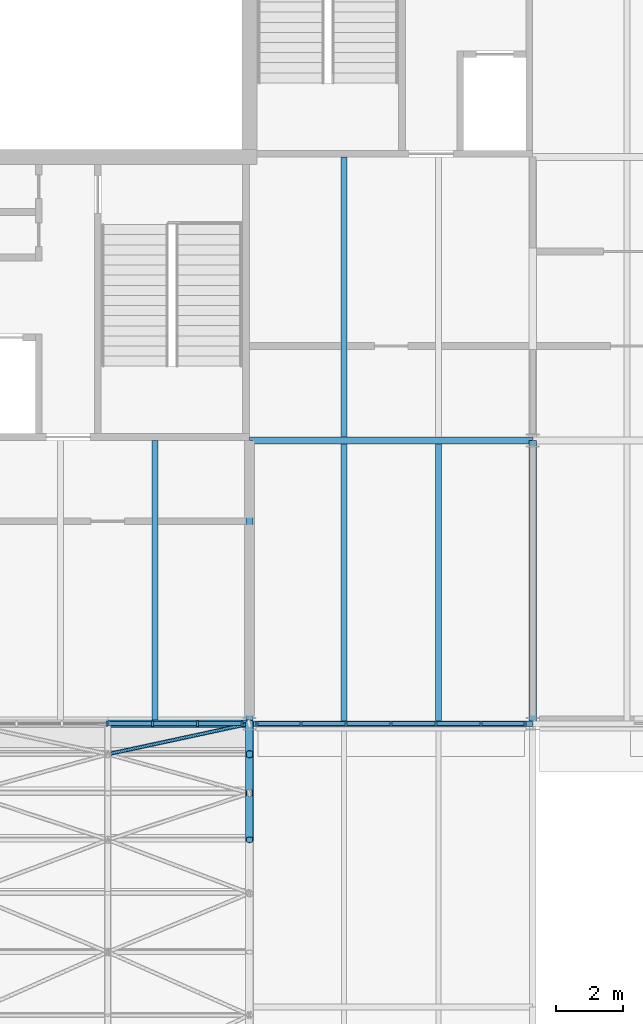
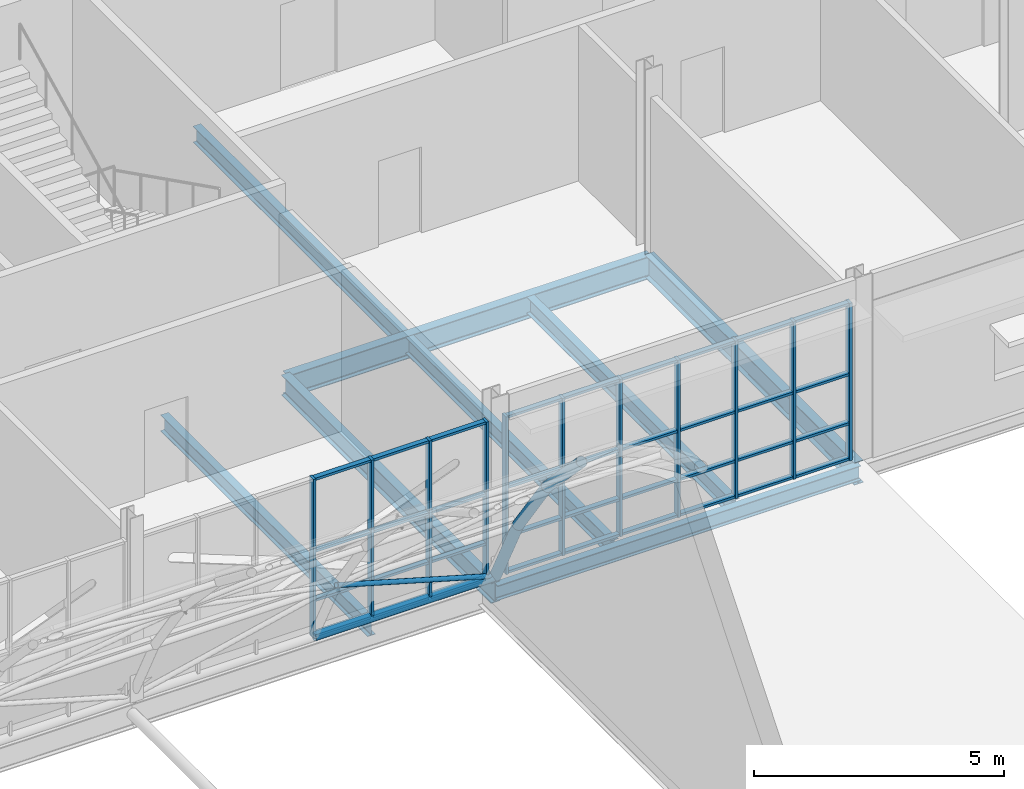
# One storey, part 58 of 121: 52 members, 8 beams, 2 elements without a shape of their own.
"""IFC4 building model written with IfcOpenShell, lengths in metres."""

from ifc_helpers import new_model, si_unit, direction, frame, origin, origin_2d, place, context, subcontext, project, spatial, rectangle, hollow_circle, i_section, extrude, material, layer, layer_set, material_profile, profile_set, type_object, element, aggregate, save


model = new_model("IFC4")

# Units and contexts
model_context = context("Model", 3, precision=1e-05, world=origin(), true_north=direction((0.0, 1.0)))
body_context = subcontext(model_context, "Body", "Model", "MODEL_VIEW")
ifc_project = project(units=[si_unit("LENGTHUNIT", "METRE"), si_unit("AREAUNIT", "SQUARE_METRE"), si_unit("VOLUMEUNIT", "CUBIC_METRE"), si_unit("PLANEANGLEUNIT", "RADIAN"), si_unit("MASSUNIT", "GRAM", prefix="KILO")], contexts=[model_context])

# Site, building, storey
site_placement = place(None, origin())
site = spatial("IfcSite", under=ifc_project, at=site_placement, CompositionType="ELEMENT")
building_placement = place(site_placement, origin())
building = spatial("IfcBuilding", under=site, at=building_placement, Name="Ardhachandra Cancer Care Centre", CompositionType="ELEMENT")
storey_placement = place(building_placement, frame((0.0, 0.0, 9.0)))
storey = spatial("IfcBuildingStorey", under=building, at=storey_placement, Name="L02", CompositionType="ELEMENT", Elevation=9.0)

# Beams
ifc_material_1 = material(Name="Steel E350 (IS 2062)", Category="steel")
ifc_material_profile_1 = material_profile(ifc_material_1, i_section(OverallWidth=0.172119140625, OverallDepth=0.364013671875, WebThickness=0.00927734375, FlangeThickness=0.0146484375, FilletRadius=0.01806640625, at=origin_2d()), Name="NPB 350x170x66.04")
ifc_profile_set_1 = profile_set([ifc_material_profile_1], Name="Steel E350 (IS 2062)")
beam_type_1 = type_object("IfcBeamType", Name="Beam NPB 350x170x66.04", PredefinedType="BEAM", material=ifc_profile_set_1)
beam_1_placement = place(storey_placement, frame((111.60009765625, 79.800048828125, -0.382080078125), z_axis=(1.0, 0.0, 0.0), x_axis=(0.0, 1.0, 0.0)))
element("IfcBeam", 1, at=beam_1_placement, inside=storey, type_object=beam_type_1, Name="Edge girder J13-J14", PredefinedType="BEAM", context=body_context, shape_type="SweptSolid", body=[
    extrude(i_section(OverallWidth=0.172119140625, OverallDepth=0.364013671875, WebThickness=0.00927734375, FlangeThickness=0.0146484375, FilletRadius=0.01806640625, at=origin_2d()), origin(), (0.0, 0.0, 1.0), 8.39990234375),
])
ifc_material_2 = material(Name="Steel E350 (IS 2062)", Category="steel")
ifc_material_profile_2 = material_profile(ifc_material_2, i_section(OverallWidth=0.179931640625, OverallDepth=0.39990234375, WebThickness=0.008544921875, FlangeThickness=0.013427734375, FilletRadius=0.02099609375, at=origin_2d()), Name="NPB 400x180x66.30")
ifc_profile_set_2 = profile_set([ifc_material_profile_2], Name="Steel E350 (IS 2062)")
beam_type_2 = type_object("IfcBeamType", Name="Beam NPB 400x180x66.30", PredefinedType="BEAM", material=ifc_profile_set_2)
beam_2_placement = place(storey_placement, frame((108.800048828125, 79.912109375, -0.35009765625), z_axis=(0.0, 1.0, 0.0), x_axis=(-1.0, 0.0, 0.0)))
element("IfcBeam", 2, at=beam_2_placement, inside=storey, type_object=beam_type_2, Name="Secondary J12-K12@5600", PredefinedType="BEAM", context=body_context, shape_type="SweptSolid", body=[
    extrude(i_section(OverallWidth=0.179931640625, OverallDepth=0.39990234375, WebThickness=0.008544921875, FlangeThickness=0.013427734375, FilletRadius=0.02099609375, at=origin_2d()), origin(), (0.0, 0.0, 1.0), 8.287841796875),
])
beam_3_placement = place(storey_placement, frame((114.39990234375, 79.885986328125, -0.35009765625), z_axis=(0.0, 1.0, 0.0), x_axis=(-1.0, 0.0, 0.0)))
element("IfcBeam", 3, at=beam_3_placement, inside=storey, type_object=beam_type_2, Name="Secondary J13-K13@2800", PredefinedType="BEAM", context=body_context, shape_type="SweptSolid", body=[
    extrude(i_section(OverallWidth=0.179931640625, OverallDepth=0.39990234375, WebThickness=0.008544921875, FlangeThickness=0.013427734375, FilletRadius=0.02099609375, at=origin_2d()), origin(), (0.0, 0.0, 1.0), 8.208984375),
])
beam_4_placement = place(storey_placement, frame((114.39990234375, 88.304931640625, -0.35009765625), z_axis=(0.0, 1.0, 0.0), x_axis=(-1.0, 0.0, 0.0)))
element("IfcBeam", 4, at=beam_4_placement, inside=storey, type_object=beam_type_2, Name="Secondary K13-L13@2800", PredefinedType="BEAM", context=body_context, shape_type="SweptSolid", body=[
    extrude(i_section(OverallWidth=0.179931640625, OverallDepth=0.39990234375, WebThickness=0.008544921875, FlangeThickness=0.013427734375, FilletRadius=0.02099609375, at=origin_2d()), origin(), (0.0, 0.0, 1.0), 8.295166015625),
])
beam_5_placement = place(storey_placement, frame((117.199951171875, 79.885986328125, -0.35009765625), z_axis=(0.0, 1.0, 0.0), x_axis=(-1.0, 0.0, 0.0)))
element("IfcBeam", 5, at=beam_5_placement, inside=storey, type_object=beam_type_2, Name="Secondary J13-K13@5600", PredefinedType="BEAM", context=body_context, shape_type="SweptSolid", body=[
    extrude(i_section(OverallWidth=0.179931640625, OverallDepth=0.39990234375, WebThickness=0.008544921875, FlangeThickness=0.013427734375, FilletRadius=0.02099609375, at=origin_2d()), origin(), (0.0, 0.0, 1.0), 8.208984375),
])
ifc_material_3 = material(Name="Steel E350 (IS 2062)", Category="steel")
ifc_material_profile_3 = material_profile(ifc_material_3, i_section(OverallWidth=0.199951171875, OverallDepth=0.5, WebThickness=0.01025390625, FlangeThickness=0.01611328125, FilletRadius=0.02099609375, at=origin_2d()), Name="NPB 500x200x90.68")
ifc_profile_set_3 = profile_set([ifc_material_profile_3], Name="Steel E350 (IS 2062)")
beam_type_3 = type_object("IfcBeamType", Name="Beam NPB 500x200x90.68", PredefinedType="BEAM", material=ifc_profile_set_3)
beam_6_placement = place(storey_placement, frame((111.60009765625, 79.800048828125, -0.39990234375), z_axis=(0.0, 1.0, 0.0), x_axis=(-1.0, 0.0, 0.0)))
element("IfcBeam", 6, at=beam_6_placement, inside=storey, type_object=beam_type_3, Name="Edge girder J13-K13", PredefinedType="BEAM", context=body_context, shape_type="SweptSolid", body=[
    extrude(i_section(OverallWidth=0.199951171875, OverallDepth=0.5, WebThickness=0.01025390625, FlangeThickness=0.01611328125, FilletRadius=0.02099609375, at=origin_2d()), origin(), (0.0, 0.0, 1.0), 8.39990234375),
])
ifc_material_4 = material(Name="Steel E350 (IS 2062)", Category="steel")
ifc_material_profile_4 = material_profile(ifc_material_4, i_section(OverallWidth=0.2099609375, OverallDepth=0.550048828125, WebThickness=0.010986328125, FlangeThickness=0.01708984375, FilletRadius=0.02392578125, at=origin_2d()), Name="NPB 550x210x105.52")
ifc_profile_set_4 = profile_set([ifc_material_profile_4], Name="Steel E350 (IS 2062)")
beam_type_4 = type_object("IfcBeamType", Name="Beam NPB 550x210x105.52", PredefinedType="BEAM", material=ifc_profile_set_4)
for number, where, z_axis, x_axis, name in (
    (7, (111.60009765625, 88.199951171875, -0.425048828125), (1.0, 0.0, 0.0), (0.0, 1.0, 0.0), "Girder K13-K14"),
    (8, (120.0, 79.800048828125, -0.425048828125), (0.0, 1.0, 0.0), (-1.0, 0.0, 0.0), "Girder J14-K14"),
):
    element("IfcBeam", number, at=place(storey_placement, frame(where, z_axis=z_axis, x_axis=x_axis)), inside=storey, type_object=beam_type_4, Name=name, PredefinedType="BEAM", context=body_context, shape_type="SweptSolid", body=[
        extrude(i_section(OverallWidth=0.2099609375, OverallDepth=0.550048828125, WebThickness=0.010986328125, FlangeThickness=0.01708984375, FilletRadius=0.02392578125, at=origin_2d()), origin(), (0.0, 0.0, 1.0), 8.39990234375),
    ])

# Curtain wall, members
ifc_material_5 = material(Name="Aluminium extrusion", Category="aluminium")
ifc_layer = layer(ifc_material_5, 0.14990234375)
ifc_layer_set = layer_set([ifc_layer], Name="Aluminium extrusion")
curtain_wall_type = type_object("IfcCurtainWallType", Name="Curtain wall run", PredefinedType="NOTDEFINED", material=ifc_layer_set)
curtain_wall_1_placement = place(storey_placement, origin())
curtain_wall_1 = element("IfcCurtainWall", 9, at=curtain_wall_1_placement, inside=storey, type_object=curtain_wall_type, Name="Curtain wall L02 s/0103200_0079800", PredefinedType="NOTDEFINED")
ifc_material_6 = material(Name="Aluminium extrusion", Category="aluminium")
ifc_material_profile_5 = material_profile(ifc_material_6, rectangle(XDim=0.159912109375, YDim=0.06005859375, at=origin_2d()), Name="Curtain wall mullion 60 x 160")
ifc_profile_set_5 = profile_set([ifc_material_profile_5], Name="Aluminium extrusion")
member_type_1 = type_object("IfcMemberType", Name="Curtain wall mullion 60 x 160", PredefinedType="MULLION", material=ifc_profile_set_5)
member_1_placement = place(storey_placement, frame((107.376220703125, 79.800048828125, 0.0), z_axis=(0.0, 0.0, 1.0), x_axis=(0.0, 1.0, 0.0)))
member_1 = element("IfcMember", 10, at=member_1_placement, type_object=member_type_1, Name="CW mullion 4", PredefinedType="MULLION", context=body_context, shape_type="SweptSolid", body=[
    extrude(rectangle(XDim=0.159912109375, YDim=0.06005859375, at=origin_2d()), origin(), (0.0, 0.0, 1.0), 3.885986328125),
])
member_2_placement = place(storey_placement, frame((108.71826171875, 79.800048828125, 0.0), z_axis=(0.0, 0.0, 1.0), x_axis=(0.0, 1.0, 0.0)))
member_2 = element("IfcMember", 11, at=member_2_placement, type_object=member_type_1, Name="CW mullion 5", PredefinedType="MULLION", context=body_context, shape_type="SweptSolid", body=[
    extrude(rectangle(XDim=0.159912109375, YDim=0.06005859375, at=origin_2d()), origin(), (0.0, 0.0, 1.0), 3.885986328125),
])
member_3_placement = place(storey_placement, frame((110.060302734375, 79.800048828125, 0.0), z_axis=(0.0, 0.0, 1.0), x_axis=(0.0, 1.0, 0.0)))
member_3 = element("IfcMember", 12, at=member_3_placement, type_object=member_type_1, Name="CW mullion 6", PredefinedType="MULLION", context=body_context, shape_type="SweptSolid", body=[
    extrude(rectangle(XDim=0.159912109375, YDim=0.06005859375, at=origin_2d()), origin(), (0.0, 0.0, 1.0), 3.885986328125),
])
member_4_placement = place(storey_placement, frame((111.37255859375, 79.800048828125, 0.0), z_axis=(0.0, 0.0, 1.0), x_axis=(0.0, 1.0, 0.0)))
member_4 = element("IfcMember", 13, at=member_4_placement, type_object=member_type_1, Name="CW mullion 7", PredefinedType="MULLION", context=body_context, shape_type="SweptSolid", body=[
    extrude(rectangle(XDim=0.159912109375, YDim=0.06005859375, at=origin_2d()), origin(), (0.0, 0.0, 1.0), 3.885986328125),
])

curtain_wall_2_placement = place(storey_placement, origin())
curtain_wall_2 = element("IfcCurtainWall", 14, at=curtain_wall_2_placement, inside=storey, type_object=curtain_wall_type, Name="Curtain wall L02 s/0111600_0079800", PredefinedType="NOTDEFINED")
member_5_placement = place(storey_placement, frame((111.827392578125, 79.800048828125, 0.0), z_axis=(0.0, 0.0, 1.0), x_axis=(0.0, 1.0, 0.0)))
member_5 = element("IfcMember", 15, at=member_5_placement, type_object=member_type_1, Name="CW mullion 1", PredefinedType="MULLION", context=body_context, shape_type="SweptSolid", body=[
    extrude(rectangle(XDim=0.159912109375, YDim=0.06005859375, at=origin_2d()), origin(), (0.0, 0.0, 1.0), 3.85009765625),
])
member_6_placement = place(storey_placement, frame((113.131591796875, 79.800048828125, 0.0), z_axis=(0.0, 0.0, 1.0), x_axis=(0.0, 1.0, 0.0)))
member_6 = element("IfcMember", 16, at=member_6_placement, type_object=member_type_1, Name="CW mullion 2", PredefinedType="MULLION", context=body_context, shape_type="SweptSolid", body=[
    extrude(rectangle(XDim=0.159912109375, YDim=0.06005859375, at=origin_2d()), origin(), (0.0, 0.0, 1.0), 3.85009765625),
])
member_7_placement = place(storey_placement, frame((114.4658203125, 79.800048828125, 0.0), z_axis=(0.0, 0.0, 1.0), x_axis=(0.0, 1.0, 0.0)))
member_7 = element("IfcMember", 17, at=member_7_placement, type_object=member_type_1, Name="CW mullion 3", PredefinedType="MULLION", context=body_context, shape_type="SweptSolid", body=[
    extrude(rectangle(XDim=0.159912109375, YDim=0.06005859375, at=origin_2d()), origin(), (0.0, 0.0, 1.0), 3.85009765625),
])
member_8_placement = place(storey_placement, frame((115.800048828125, 79.800048828125, 0.0), z_axis=(0.0, 0.0, 1.0), x_axis=(0.0, 1.0, 0.0)))
member_8 = element("IfcMember", 18, at=member_8_placement, type_object=member_type_1, Name="CW mullion 4", PredefinedType="MULLION", context=body_context, shape_type="SweptSolid", body=[
    extrude(rectangle(XDim=0.159912109375, YDim=0.06005859375, at=origin_2d()), origin(), (0.0, 0.0, 1.0), 3.85009765625),
])
member_9_placement = place(storey_placement, frame((117.13427734375, 79.800048828125, 0.0), z_axis=(0.0, 0.0, 1.0), x_axis=(0.0, 1.0, 0.0)))
member_9 = element("IfcMember", 19, at=member_9_placement, type_object=member_type_1, Name="CW mullion 5", PredefinedType="MULLION", context=body_context, shape_type="SweptSolid", body=[
    extrude(rectangle(XDim=0.159912109375, YDim=0.06005859375, at=origin_2d()), origin(), (0.0, 0.0, 1.0), 3.85009765625),
])
member_10_placement = place(storey_placement, frame((118.46826171875, 79.800048828125, 0.0), z_axis=(0.0, 0.0, 1.0), x_axis=(0.0, 1.0, 0.0)))
member_10 = element("IfcMember", 20, at=member_10_placement, type_object=member_type_1, Name="CW mullion 6", PredefinedType="MULLION", context=body_context, shape_type="SweptSolid", body=[
    extrude(rectangle(XDim=0.159912109375, YDim=0.06005859375, at=origin_2d()), origin(), (0.0, 0.0, 1.0), 3.85009765625),
])
member_11_placement = place(storey_placement, frame((119.7724609375, 79.800048828125, 0.0), z_axis=(0.0, 0.0, 1.0), x_axis=(0.0, 1.0, 0.0)))
member_11 = element("IfcMember", 21, at=member_11_placement, type_object=member_type_1, Name="CW mullion 7", PredefinedType="MULLION", context=body_context, shape_type="SweptSolid", body=[
    extrude(rectangle(XDim=0.159912109375, YDim=0.06005859375, at=origin_2d()), origin(), (0.0, 0.0, 1.0), 3.85009765625),
])

# Member
ifc_material_7 = material(Name="Aluminium extrusion", Category="aluminium")
ifc_material_profile_6 = material_profile(ifc_material_7, rectangle(XDim=0.1201171875, YDim=0.06005859375, at=origin_2d()), Name="Curtain wall transom 60 x 120")
ifc_profile_set_6 = profile_set([ifc_material_profile_6], Name="Aluminium extrusion")
member_type_2 = type_object("IfcMemberType", Name="Curtain wall transom 60 x 120", PredefinedType="USERDEFINED", material=ifc_profile_set_6)
member_12_placement = place(storey_placement, frame((107.40625, 79.800048828125, 0.030029296875), z_axis=(1.0, 0.0, 0.0), x_axis=(0.0, 1.0, 0.0)))
member_12 = element("IfcMember", 22, at=member_12_placement, type_object=member_type_2, Name="CW transom 4.1", ObjectType="TRANSOM", PredefinedType="USERDEFINED", context=body_context, shape_type="SweptSolid", body=[
    extrude(rectangle(XDim=0.1201171875, YDim=0.06005859375, at=origin_2d()), origin(), (0.0, 0.0, 1.0), 1.281982421875),
])

member_13_placement = place(storey_placement, frame((107.40625, 79.800048828125, 0.89990234375), z_axis=(1.0, 0.0, 0.0), x_axis=(0.0, 1.0, 0.0)))
member_13 = element("IfcMember", 23, at=member_13_placement, type_object=member_type_2, Name="CW transom 4.2", ObjectType="TRANSOM", PredefinedType="USERDEFINED", context=body_context, shape_type="SweptSolid", body=[
    extrude(rectangle(XDim=0.1201171875, YDim=0.06005859375, at=origin_2d()), origin(), (0.0, 0.0, 1.0), 1.281982421875),
])

member_14_placement = place(storey_placement, frame((107.40625, 79.800048828125, 2.10009765625), z_axis=(1.0, 0.0, 0.0), x_axis=(0.0, 1.0, 0.0)))
member_14 = element("IfcMember", 24, at=member_14_placement, type_object=member_type_2, Name="CW transom 4.3", ObjectType="TRANSOM", PredefinedType="USERDEFINED", context=body_context, shape_type="SweptSolid", body=[
    extrude(rectangle(XDim=0.1201171875, YDim=0.06005859375, at=origin_2d()), origin(), (0.0, 0.0, 1.0), 1.281982421875),
])

member_15_placement = place(storey_placement, frame((107.40625, 79.800048828125, 3.85595703125), z_axis=(1.0, 0.0, 0.0), x_axis=(0.0, 1.0, 0.0)))
member_15 = element("IfcMember", 25, at=member_15_placement, type_object=member_type_2, Name="CW transom 4.4", ObjectType="TRANSOM", PredefinedType="USERDEFINED", context=body_context, shape_type="SweptSolid", body=[
    extrude(rectangle(XDim=0.1201171875, YDim=0.06005859375, at=origin_2d()), origin(), (0.0, 0.0, 1.0), 1.281982421875),
])

member_16_placement = place(storey_placement, frame((108.748291015625, 79.800048828125, 0.030029296875), z_axis=(1.0, 0.0, 0.0), x_axis=(0.0, 1.0, 0.0)))
member_16 = element("IfcMember", 26, at=member_16_placement, type_object=member_type_2, Name="CW transom 5.1", ObjectType="TRANSOM", PredefinedType="USERDEFINED", context=body_context, shape_type="SweptSolid", body=[
    extrude(rectangle(XDim=0.1201171875, YDim=0.06005859375, at=origin_2d()), origin(), (0.0, 0.0, 1.0), 1.2822265625),
])

member_17_placement = place(storey_placement, frame((108.748291015625, 79.800048828125, 0.89990234375), z_axis=(1.0, 0.0, 0.0), x_axis=(0.0, 1.0, 0.0)))
member_17 = element("IfcMember", 27, at=member_17_placement, type_object=member_type_2, Name="CW transom 5.2", ObjectType="TRANSOM", PredefinedType="USERDEFINED", context=body_context, shape_type="SweptSolid", body=[
    extrude(rectangle(XDim=0.1201171875, YDim=0.06005859375, at=origin_2d()), origin(), (0.0, 0.0, 1.0), 1.2822265625),
])

member_18_placement = place(storey_placement, frame((108.748291015625, 79.800048828125, 2.10009765625), z_axis=(1.0, 0.0, 0.0), x_axis=(0.0, 1.0, 0.0)))
member_18 = element("IfcMember", 28, at=member_18_placement, type_object=member_type_2, Name="CW transom 5.3", ObjectType="TRANSOM", PredefinedType="USERDEFINED", context=body_context, shape_type="SweptSolid", body=[
    extrude(rectangle(XDim=0.1201171875, YDim=0.06005859375, at=origin_2d()), origin(), (0.0, 0.0, 1.0), 1.2822265625),
])

member_19_placement = place(storey_placement, frame((108.748291015625, 79.800048828125, 3.85595703125), z_axis=(1.0, 0.0, 0.0), x_axis=(0.0, 1.0, 0.0)))
member_19 = element("IfcMember", 29, at=member_19_placement, type_object=member_type_2, Name="CW transom 5.4", ObjectType="TRANSOM", PredefinedType="USERDEFINED", context=body_context, shape_type="SweptSolid", body=[
    extrude(rectangle(XDim=0.1201171875, YDim=0.06005859375, at=origin_2d()), origin(), (0.0, 0.0, 1.0), 1.2822265625),
])

member_20_placement = place(storey_placement, frame((110.09033203125, 79.800048828125, 0.030029296875), z_axis=(1.0, 0.0, 0.0), x_axis=(0.0, 1.0, 0.0)))
member_20 = element("IfcMember", 30, at=member_20_placement, type_object=member_type_2, Name="CW transom 6.1", ObjectType="TRANSOM", PredefinedType="USERDEFINED", context=body_context, shape_type="SweptSolid", body=[
    extrude(rectangle(XDim=0.1201171875, YDim=0.06005859375, at=origin_2d()), origin(), (0.0, 0.0, 1.0), 1.252197265625),
])

member_21_placement = place(storey_placement, frame((110.09033203125, 79.800048828125, 0.89990234375), z_axis=(1.0, 0.0, 0.0), x_axis=(0.0, 1.0, 0.0)))
member_21 = element("IfcMember", 31, at=member_21_placement, type_object=member_type_2, Name="CW transom 6.2", ObjectType="TRANSOM", PredefinedType="USERDEFINED", context=body_context, shape_type="SweptSolid", body=[
    extrude(rectangle(XDim=0.1201171875, YDim=0.06005859375, at=origin_2d()), origin(), (0.0, 0.0, 1.0), 1.252197265625),
])

member_22_placement = place(storey_placement, frame((110.09033203125, 79.800048828125, 2.10009765625), z_axis=(1.0, 0.0, 0.0), x_axis=(0.0, 1.0, 0.0)))
member_22 = element("IfcMember", 32, at=member_22_placement, type_object=member_type_2, Name="CW transom 6.3", ObjectType="TRANSOM", PredefinedType="USERDEFINED", context=body_context, shape_type="SweptSolid", body=[
    extrude(rectangle(XDim=0.1201171875, YDim=0.06005859375, at=origin_2d()), origin(), (0.0, 0.0, 1.0), 1.252197265625),
])

member_23_placement = place(storey_placement, frame((110.09033203125, 79.800048828125, 3.85595703125), z_axis=(1.0, 0.0, 0.0), x_axis=(0.0, 1.0, 0.0)))
member_23 = element("IfcMember", 33, at=member_23_placement, type_object=member_type_2, Name="CW transom 6.4", ObjectType="TRANSOM", PredefinedType="USERDEFINED", context=body_context, shape_type="SweptSolid", body=[
    extrude(rectangle(XDim=0.1201171875, YDim=0.06005859375, at=origin_2d()), origin(), (0.0, 0.0, 1.0), 1.252197265625),
])

aggregate(curtain_wall_1, [member_1, member_2, member_3, member_4, member_12, member_13, member_14, member_15, member_16, member_17, member_18, member_19, member_20, member_21, member_22, member_23])

member_24_placement = place(storey_placement, frame((111.857421875, 79.800048828125, 0.030029296875), z_axis=(1.0, 0.0, 0.0), x_axis=(0.0, 1.0, 0.0)))
member_24 = element("IfcMember", 34, at=member_24_placement, type_object=member_type_2, Name="CW transom 1.1", ObjectType="TRANSOM", PredefinedType="USERDEFINED", context=body_context, shape_type="SweptSolid", body=[
    extrude(rectangle(XDim=0.1201171875, YDim=0.06005859375, at=origin_2d()), origin(), (0.0, 0.0, 1.0), 1.244140625),
])

member_25_placement = place(storey_placement, frame((111.857421875, 79.800048828125, 0.89990234375), z_axis=(1.0, 0.0, 0.0), x_axis=(0.0, 1.0, 0.0)))
member_25 = element("IfcMember", 35, at=member_25_placement, type_object=member_type_2, Name="CW transom 1.2", ObjectType="TRANSOM", PredefinedType="USERDEFINED", context=body_context, shape_type="SweptSolid", body=[
    extrude(rectangle(XDim=0.1201171875, YDim=0.06005859375, at=origin_2d()), origin(), (0.0, 0.0, 1.0), 1.244140625),
])

member_26_placement = place(storey_placement, frame((111.857421875, 79.800048828125, 2.10009765625), z_axis=(1.0, 0.0, 0.0), x_axis=(0.0, 1.0, 0.0)))
member_26 = element("IfcMember", 36, at=member_26_placement, type_object=member_type_2, Name="CW transom 1.3", ObjectType="TRANSOM", PredefinedType="USERDEFINED", context=body_context, shape_type="SweptSolid", body=[
    extrude(rectangle(XDim=0.1201171875, YDim=0.06005859375, at=origin_2d()), origin(), (0.0, 0.0, 1.0), 1.244140625),
])

member_27_placement = place(storey_placement, frame((111.857421875, 79.800048828125, 3.820068359375), z_axis=(1.0, 0.0, 0.0), x_axis=(0.0, 1.0, 0.0)))
member_27 = element("IfcMember", 37, at=member_27_placement, type_object=member_type_2, Name="CW transom 1.4", ObjectType="TRANSOM", PredefinedType="USERDEFINED", context=body_context, shape_type="SweptSolid", body=[
    extrude(rectangle(XDim=0.1201171875, YDim=0.06005859375, at=origin_2d()), origin(), (0.0, 0.0, 1.0), 1.244140625),
])

member_28_placement = place(storey_placement, frame((113.16162109375, 79.800048828125, 0.030029296875), z_axis=(1.0, 0.0, 0.0), x_axis=(0.0, 1.0, 0.0)))
member_28 = element("IfcMember", 38, at=member_28_placement, type_object=member_type_2, Name="CW transom 2.1", ObjectType="TRANSOM", PredefinedType="USERDEFINED", context=body_context, shape_type="SweptSolid", body=[
    extrude(rectangle(XDim=0.1201171875, YDim=0.06005859375, at=origin_2d()), origin(), (0.0, 0.0, 1.0), 1.274169921875),
])

member_29_placement = place(storey_placement, frame((113.16162109375, 79.800048828125, 0.89990234375), z_axis=(1.0, 0.0, 0.0), x_axis=(0.0, 1.0, 0.0)))
member_29 = element("IfcMember", 39, at=member_29_placement, type_object=member_type_2, Name="CW transom 2.2", ObjectType="TRANSOM", PredefinedType="USERDEFINED", context=body_context, shape_type="SweptSolid", body=[
    extrude(rectangle(XDim=0.1201171875, YDim=0.06005859375, at=origin_2d()), origin(), (0.0, 0.0, 1.0), 1.274169921875),
])

member_30_placement = place(storey_placement, frame((113.16162109375, 79.800048828125, 2.10009765625), z_axis=(1.0, 0.0, 0.0), x_axis=(0.0, 1.0, 0.0)))
member_30 = element("IfcMember", 40, at=member_30_placement, type_object=member_type_2, Name="CW transom 2.3", ObjectType="TRANSOM", PredefinedType="USERDEFINED", context=body_context, shape_type="SweptSolid", body=[
    extrude(rectangle(XDim=0.1201171875, YDim=0.06005859375, at=origin_2d()), origin(), (0.0, 0.0, 1.0), 1.274169921875),
])

member_31_placement = place(storey_placement, frame((113.16162109375, 79.800048828125, 3.820068359375), z_axis=(1.0, 0.0, 0.0), x_axis=(0.0, 1.0, 0.0)))
member_31 = element("IfcMember", 41, at=member_31_placement, type_object=member_type_2, Name="CW transom 2.4", ObjectType="TRANSOM", PredefinedType="USERDEFINED", context=body_context, shape_type="SweptSolid", body=[
    extrude(rectangle(XDim=0.1201171875, YDim=0.06005859375, at=origin_2d()), origin(), (0.0, 0.0, 1.0), 1.274169921875),
])

member_32_placement = place(storey_placement, frame((114.495849609375, 79.800048828125, 0.030029296875), z_axis=(1.0, 0.0, 0.0), x_axis=(0.0, 1.0, 0.0)))
member_32 = element("IfcMember", 42, at=member_32_placement, type_object=member_type_2, Name="CW transom 3.1", ObjectType="TRANSOM", PredefinedType="USERDEFINED", context=body_context, shape_type="SweptSolid", body=[
    extrude(rectangle(XDim=0.1201171875, YDim=0.06005859375, at=origin_2d()), origin(), (0.0, 0.0, 1.0), 1.274169921875),
])

member_33_placement = place(storey_placement, frame((114.495849609375, 79.800048828125, 0.89990234375), z_axis=(1.0, 0.0, 0.0), x_axis=(0.0, 1.0, 0.0)))
member_33 = element("IfcMember", 43, at=member_33_placement, type_object=member_type_2, Name="CW transom 3.2", ObjectType="TRANSOM", PredefinedType="USERDEFINED", context=body_context, shape_type="SweptSolid", body=[
    extrude(rectangle(XDim=0.1201171875, YDim=0.06005859375, at=origin_2d()), origin(), (0.0, 0.0, 1.0), 1.274169921875),
])

member_34_placement = place(storey_placement, frame((114.495849609375, 79.800048828125, 2.10009765625), z_axis=(1.0, 0.0, 0.0), x_axis=(0.0, 1.0, 0.0)))
member_34 = element("IfcMember", 44, at=member_34_placement, type_object=member_type_2, Name="CW transom 3.3", ObjectType="TRANSOM", PredefinedType="USERDEFINED", context=body_context, shape_type="SweptSolid", body=[
    extrude(rectangle(XDim=0.1201171875, YDim=0.06005859375, at=origin_2d()), origin(), (0.0, 0.0, 1.0), 1.274169921875),
])

member_35_placement = place(storey_placement, frame((114.495849609375, 79.800048828125, 3.820068359375), z_axis=(1.0, 0.0, 0.0), x_axis=(0.0, 1.0, 0.0)))
member_35 = element("IfcMember", 45, at=member_35_placement, type_object=member_type_2, Name="CW transom 3.4", ObjectType="TRANSOM", PredefinedType="USERDEFINED", context=body_context, shape_type="SweptSolid", body=[
    extrude(rectangle(XDim=0.1201171875, YDim=0.06005859375, at=origin_2d()), origin(), (0.0, 0.0, 1.0), 1.274169921875),
])

member_36_placement = place(storey_placement, frame((115.830078125, 79.800048828125, 0.030029296875), z_axis=(1.0, 0.0, 0.0), x_axis=(0.0, 1.0, 0.0)))
member_36 = element("IfcMember", 46, at=member_36_placement, type_object=member_type_2, Name="CW transom 4.1", ObjectType="TRANSOM", PredefinedType="USERDEFINED", context=body_context, shape_type="SweptSolid", body=[
    extrude(rectangle(XDim=0.1201171875, YDim=0.06005859375, at=origin_2d()), origin(), (0.0, 0.0, 1.0), 1.274169921875),
])

member_37_placement = place(storey_placement, frame((115.830078125, 79.800048828125, 0.89990234375), z_axis=(1.0, 0.0, 0.0), x_axis=(0.0, 1.0, 0.0)))
member_37 = element("IfcMember", 47, at=member_37_placement, type_object=member_type_2, Name="CW transom 4.2", ObjectType="TRANSOM", PredefinedType="USERDEFINED", context=body_context, shape_type="SweptSolid", body=[
    extrude(rectangle(XDim=0.1201171875, YDim=0.06005859375, at=origin_2d()), origin(), (0.0, 0.0, 1.0), 1.274169921875),
])

member_38_placement = place(storey_placement, frame((115.830078125, 79.800048828125, 2.10009765625), z_axis=(1.0, 0.0, 0.0), x_axis=(0.0, 1.0, 0.0)))
member_38 = element("IfcMember", 48, at=member_38_placement, type_object=member_type_2, Name="CW transom 4.3", ObjectType="TRANSOM", PredefinedType="USERDEFINED", context=body_context, shape_type="SweptSolid", body=[
    extrude(rectangle(XDim=0.1201171875, YDim=0.06005859375, at=origin_2d()), origin(), (0.0, 0.0, 1.0), 1.274169921875),
])

member_39_placement = place(storey_placement, frame((115.830078125, 79.800048828125, 3.820068359375), z_axis=(1.0, 0.0, 0.0), x_axis=(0.0, 1.0, 0.0)))
member_39 = element("IfcMember", 49, at=member_39_placement, type_object=member_type_2, Name="CW transom 4.4", ObjectType="TRANSOM", PredefinedType="USERDEFINED", context=body_context, shape_type="SweptSolid", body=[
    extrude(rectangle(XDim=0.1201171875, YDim=0.06005859375, at=origin_2d()), origin(), (0.0, 0.0, 1.0), 1.274169921875),
])

member_40_placement = place(storey_placement, frame((117.1640625, 79.800048828125, 0.030029296875), z_axis=(1.0, 0.0, 0.0), x_axis=(0.0, 1.0, 0.0)))
member_40 = element("IfcMember", 50, at=member_40_placement, type_object=member_type_2, Name="CW transom 5.1", ObjectType="TRANSOM", PredefinedType="USERDEFINED", context=body_context, shape_type="SweptSolid", body=[
    extrude(rectangle(XDim=0.1201171875, YDim=0.06005859375, at=origin_2d()), origin(), (0.0, 0.0, 1.0), 1.274169921875),
])

member_41_placement = place(storey_placement, frame((117.1640625, 79.800048828125, 0.89990234375), z_axis=(1.0, 0.0, 0.0), x_axis=(0.0, 1.0, 0.0)))
member_41 = element("IfcMember", 51, at=member_41_placement, type_object=member_type_2, Name="CW transom 5.2", ObjectType="TRANSOM", PredefinedType="USERDEFINED", context=body_context, shape_type="SweptSolid", body=[
    extrude(rectangle(XDim=0.1201171875, YDim=0.06005859375, at=origin_2d()), origin(), (0.0, 0.0, 1.0), 1.274169921875),
])

member_42_placement = place(storey_placement, frame((117.1640625, 79.800048828125, 2.10009765625), z_axis=(1.0, 0.0, 0.0), x_axis=(0.0, 1.0, 0.0)))
member_42 = element("IfcMember", 52, at=member_42_placement, type_object=member_type_2, Name="CW transom 5.3", ObjectType="TRANSOM", PredefinedType="USERDEFINED", context=body_context, shape_type="SweptSolid", body=[
    extrude(rectangle(XDim=0.1201171875, YDim=0.06005859375, at=origin_2d()), origin(), (0.0, 0.0, 1.0), 1.274169921875),
])

member_43_placement = place(storey_placement, frame((117.1640625, 79.800048828125, 3.820068359375), z_axis=(1.0, 0.0, 0.0), x_axis=(0.0, 1.0, 0.0)))
member_43 = element("IfcMember", 53, at=member_43_placement, type_object=member_type_2, Name="CW transom 5.4", ObjectType="TRANSOM", PredefinedType="USERDEFINED", context=body_context, shape_type="SweptSolid", body=[
    extrude(rectangle(XDim=0.1201171875, YDim=0.06005859375, at=origin_2d()), origin(), (0.0, 0.0, 1.0), 1.274169921875),
])

member_44_placement = place(storey_placement, frame((118.498291015625, 79.800048828125, 0.030029296875), z_axis=(1.0, 0.0, 0.0), x_axis=(0.0, 1.0, 0.0)))
member_44 = element("IfcMember", 54, at=member_44_placement, type_object=member_type_2, Name="CW transom 6.1", ObjectType="TRANSOM", PredefinedType="USERDEFINED", context=body_context, shape_type="SweptSolid", body=[
    extrude(rectangle(XDim=0.1201171875, YDim=0.06005859375, at=origin_2d()), origin(), (0.0, 0.0, 1.0), 1.244140625),
])

member_45_placement = place(storey_placement, frame((118.498291015625, 79.800048828125, 0.89990234375), z_axis=(1.0, 0.0, 0.0), x_axis=(0.0, 1.0, 0.0)))
member_45 = element("IfcMember", 55, at=member_45_placement, type_object=member_type_2, Name="CW transom 6.2", ObjectType="TRANSOM", PredefinedType="USERDEFINED", context=body_context, shape_type="SweptSolid", body=[
    extrude(rectangle(XDim=0.1201171875, YDim=0.06005859375, at=origin_2d()), origin(), (0.0, 0.0, 1.0), 1.244140625),
])

member_46_placement = place(storey_placement, frame((118.498291015625, 79.800048828125, 2.10009765625), z_axis=(1.0, 0.0, 0.0), x_axis=(0.0, 1.0, 0.0)))
member_46 = element("IfcMember", 56, at=member_46_placement, type_object=member_type_2, Name="CW transom 6.3", ObjectType="TRANSOM", PredefinedType="USERDEFINED", context=body_context, shape_type="SweptSolid", body=[
    extrude(rectangle(XDim=0.1201171875, YDim=0.06005859375, at=origin_2d()), origin(), (0.0, 0.0, 1.0), 1.244140625),
])

member_47_placement = place(storey_placement, frame((118.498291015625, 79.800048828125, 3.820068359375), z_axis=(1.0, 0.0, 0.0), x_axis=(0.0, 1.0, 0.0)))
member_47 = element("IfcMember", 57, at=member_47_placement, type_object=member_type_2, Name="CW transom 6.4", ObjectType="TRANSOM", PredefinedType="USERDEFINED", context=body_context, shape_type="SweptSolid", body=[
    extrude(rectangle(XDim=0.1201171875, YDim=0.06005859375, at=origin_2d()), origin(), (0.0, 0.0, 1.0), 1.244140625),
])

aggregate(curtain_wall_2, [member_5, member_6, member_7, member_8, member_9, member_10, member_11, member_24, member_25, member_26, member_27, member_28, member_29, member_30, member_31, member_32, member_33, member_34, member_35, member_36, member_37, member_38, member_39, member_40, member_41, member_42, member_43, member_44, member_45, member_46, member_47])

# Members
ifc_material_8 = material(Name="Steel E350 (IS 2062)", Category="steel")
ifc_material_profile_7 = material_profile(ifc_material_8, hollow_circle(Radius=0.05712890625, WallThickness=0.0048828125, at=origin_2d()), Name="CHS 114.3x5.0")
ifc_profile_set_7 = profile_set([ifc_material_profile_7], Name="Steel E350 (IS 2062)")
member_type_3 = type_object("IfcMemberType", Name="Hall shell Diagonal CHS 114.3x5.0", PredefinedType="BRACE", material=ifc_profile_set_7)
member_48_placement = place(storey_placement, frame((107.39990234375, 78.89501953125, 1.788818359375), z_axis=(0.902473268411, 0.194458754127, -0.384353733879), x_axis=(-0.210638782481, 0.977563963797, 0.0)))
element("IfcMember", 58, at=member_48_placement, inside=storey, type_object=member_type_3, Name="Hall shell diagonal 15-15", PredefinedType="BRACE", context=body_context, shape_type="SweptSolid", body=[
    extrude(hollow_circle(Radius=0.05712890625, WallThickness=0.0048828125, at=origin_2d()), origin(), (0.0, 0.0, 1.0), 4.654052734375),
])
ifc_material_9 = material(Name="Steel E350 (IS 2062)", Category="steel")
ifc_material_profile_8 = material_profile(ifc_material_9, hollow_circle(Radius=0.109619140625, WallThickness=0.008056640625, at=origin_2d()), Name="CHS 219.1x8.0")
ifc_profile_set_8 = profile_set([ifc_material_profile_8], Name="Steel E350 (IS 2062)")
member_type_4 = type_object("IfcMemberType", Name="Hall shell Purlin CHS 219.1x8.0", PredefinedType="PURLIN", material=ifc_profile_set_8)
member_49_placement = place(storey_placement, frame((107.39990234375, 79.800048828125, 0.0), z_axis=(1.0, 0.0, 0.0), x_axis=(0.0, 1.0, 0.0)))
element("IfcMember", 59, at=member_49_placement, inside=storey, type_object=member_type_4, Name="Hall shell purlin 15-16", PredefinedType="PURLIN", context=body_context, shape_type="SweptSolid", body=[
    extrude(hollow_circle(Radius=0.109619140625, WallThickness=0.008056640625, at=origin_2d()), origin(), (0.0, 0.0, 1.0), 4.2001953125),
])
ifc_material_10 = material(Name="Steel E350 (IS 2062)", Category="steel")
ifc_material_profile_9 = material_profile(ifc_material_10, hollow_circle(Radius=0.122314453125, WallThickness=0.010009765625, at=origin_2d()), Name="CHS 244.5x10.0")
ifc_profile_set_9 = profile_set([ifc_material_profile_9], Name="Steel E350 (IS 2062)")
member_type_5 = type_object("IfcMemberType", Name="Hall shell Rib CHS 244.5x10.0", PredefinedType="RAFTER", material=ifc_profile_set_9)
member_50_placement = place(storey_placement, frame((111.60009765625, 76.353515625, 4.8759765625), z_axis=(0.0, 0.690600278641, -0.723236652239), x_axis=(-1.0, 0.0, 0.0)))
element("IfcMember", 60, at=member_50_placement, inside=storey, type_object=member_type_5, Name="Hall shell rib 16-13", PredefinedType="RAFTER", context=body_context, shape_type="SweptSolid", body=[
    extrude(hollow_circle(Radius=0.122314453125, WallThickness=0.010009765625, at=origin_2d()), origin(), (0.0, 0.0, 1.0), 2.0048828125),
])
for number, where, z_axis, x_axis, name in (
    (61, (111.60009765625, 77.738037109375, 3.426025390625), (0.0, 0.577118207202, -0.816660624076), (-1.0, 0.0, 0.0), "Hall shell rib 16-14"),
    (62, (111.60009765625, 78.89501953125, 1.788818359375), (0.0, 0.451446595645, -0.892298140355), (-1.0, 0.0, 0.0), "Hall shell rib 16-15"),
):
    element("IfcMember", number, at=place(storey_placement, frame(where, z_axis=z_axis, x_axis=x_axis)), inside=storey, type_object=member_type_5, Name=name, PredefinedType="RAFTER", context=body_context, shape_type="SweptSolid", body=[
        extrude(hollow_circle(Radius=0.122314453125, WallThickness=0.010009765625, at=origin_2d()), origin(), (0.0, 0.0, 1.0), 2.004638671875),
    ])

save(model, "model.ifc")
